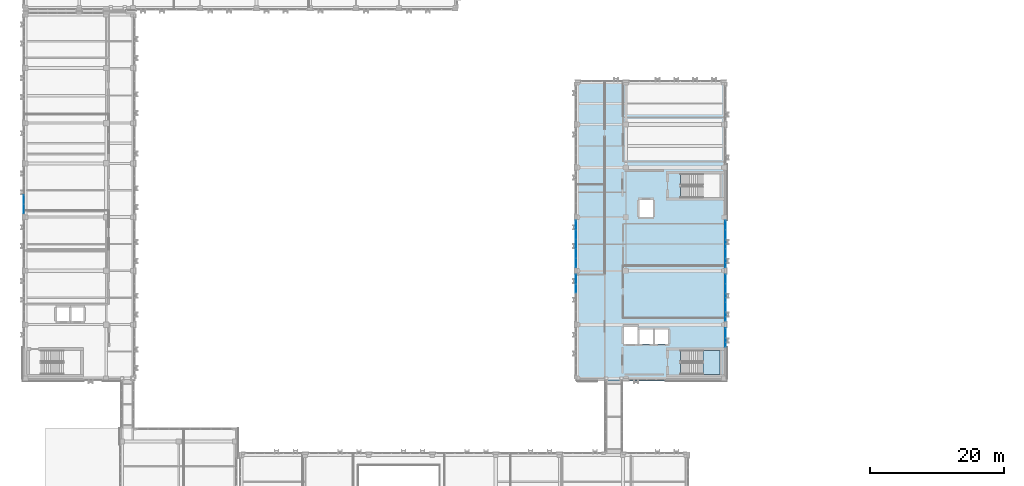
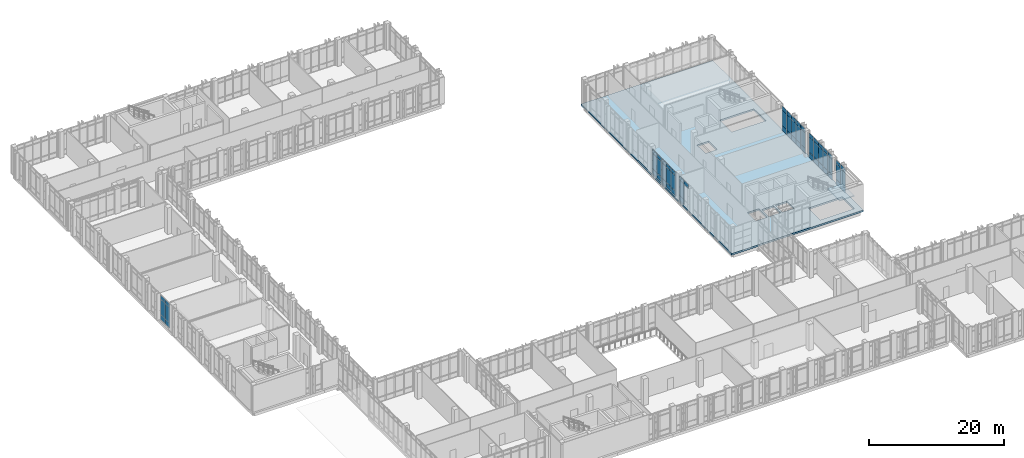
# One storey, part 139 of 189: 61 plates, 2 slabs, 7 elements without a shape of their own.
"""IFC4 building model written with IfcOpenShell, lengths in metres."""

import ifcopenshell
import ifcopenshell.guid

model = None  # the IFC model being written
_history = None  # IfcOwnerHistory: only IFC2X3 demands one
_inside = {}  # id of a spatial element -> (the spatial element, [elements in it])
_under = {}  # id of a project, library or spatial element -> (it, [spatial elements below it])
_declared = {}  # id of a project -> (the project, [libraries it declares])
_typed = {}  # id of a type object -> (the type object, [elements of that type])
_made_of = {}  # id of a material, layer set ... -> (it, [elements and type objects made of it])


def new_model(schema):
    """Start an empty IFC model of exactly this schema.

    Asked for "IFC4X3", IfcOpenShell would pick the latest addendum, in which some entities
    have other attributes; the version numbers below select the first issue.
    IFC2X3 requires an IfcOwnerHistory on every rooted entity: one is made here for all.
    """
    global model, _history
    if schema == "IFC4X3":
        model = ifcopenshell.file(schema_version=(4, 3, 0, 0))
    else:
        model = ifcopenshell.file(schema=schema)
    _inside.clear()
    _under.clear()
    _declared.clear()
    _typed.clear()
    _made_of.clear()
    _history = None
    if model.schema == "IFC2X3":
        org = make("IfcOrganization", Name="unknown")
        user = make(
            "IfcPersonAndOrganization",
            ThePerson=make("IfcPerson", FamilyName="unknown"),
            TheOrganization=org,
        )
        app = make(
            "IfcApplication",
            ApplicationDeveloper=org,
            Version="unknown",
            ApplicationFullName="unknown",
            ApplicationIdentifier="unknown",
        )
        _history = make(
            "IfcOwnerHistory",
            OwningUser=user,
            OwningApplication=app,
            ChangeAction="ADDED",
            CreationDate=0,
        )
    return model


def make(cls, **values):
    """One entity of the class cls with the attributes given. An attribute that is None is left unset."""
    return model.create_entity(
        cls, **{name: value for name, value in values.items() if value is not None}
    )


def rooted(cls, **values):
    """An entity with a GlobalId (a new one), such as an element, a storey or a relation."""
    return make(cls, GlobalId=ifcopenshell.guid.new(), OwnerHistory=_history, **values)


def si_unit(unit_type, name, prefix=None):
    """IfcSIUnit, for example si_unit("LENGTHUNIT", "METRE", prefix="MILLI")."""
    return make("IfcSIUnit", UnitType=unit_type, Prefix=prefix, Name=name)


def assignment(units):
    """IfcUnitAssignment: the units of a project."""
    return None if units is None else make("IfcUnitAssignment", Units=units)


def point(xyz):
    """IfcCartesianPoint."""
    return None if xyz is None else make("IfcCartesianPoint", Coordinates=xyz)


def direction(xyz):
    """IfcDirection."""
    return None if xyz is None else make("IfcDirection", DirectionRatios=xyz)


def frame(location, z_axis=None, x_axis=None):
    """IfcAxis2Placement3D, a coordinate frame: its origin and axes. An axis left out is left unset."""
    return make(
        "IfcAxis2Placement3D",
        Location=point(location),
        Axis=direction(z_axis),
        RefDirection=direction(x_axis),
    )


def frame_2d(location, x_axis=None):
    """IfcAxis2Placement2D, a coordinate frame in the plane: its origin and x axis."""
    return make(
        "IfcAxis2Placement2D", Location=point(location), RefDirection=direction(x_axis)
    )


def origin():
    """The frame at (0, 0, 0) with its axes left unset."""
    return frame((0.0, 0.0, 0.0))


def origin_2d():
    """The frame at (0, 0) in the plane with its x axis left unset."""
    return frame_2d((0.0, 0.0))


def place(relative_to, where):
    """IfcLocalPlacement: puts the frame where relative to a parent placement (None: the world)."""
    return make(
        "IfcLocalPlacement", PlacementRelTo=relative_to, RelativePlacement=where
    )


def context(
    kind, dimensions, precision=None, world=None, true_north=None, identifier=None
):
    """IfcGeometricRepresentationContext, for example the 3D "Model" context."""
    return make(
        "IfcGeometricRepresentationContext",
        ContextIdentifier=identifier,
        ContextType=kind,
        CoordinateSpaceDimension=dimensions,
        Precision=precision,
        WorldCoordinateSystem=world,
        TrueNorth=true_north,
    )


def subcontext(parent, identifier, kind, view, scale=None):
    """IfcGeometricRepresentationSubContext, for example "Body" below "Model"."""
    return make(
        "IfcGeometricRepresentationSubContext",
        ContextIdentifier=identifier,
        ContextType=kind,
        ParentContext=parent,
        TargetScale=scale,
        TargetView=view,
    )


def project(units=None, contexts=None):
    """IfcProject with its units and contexts."""
    return rooted(
        "IfcProject",
        Name="project",
        RepresentationContexts=contexts,
        UnitsInContext=assignment(units),
    )


def spatial(cls, under=None, at=None, **own):
    """A site, building, storey or space (cls), placed at a placement, below another one or the project."""
    s = rooted(cls, ObjectPlacement=at, **own)
    if under is not None:
        _under.setdefault(under.id(), (under, []))[1].append(s)
    return s


def polyline(points):
    """IfcPolyline through the points."""
    return make("IfcPolyline", Points=[point(p) for p in points])


def profile(cls, at=None, kind="AREA", **sizes):
    """A parametric profile (cls). Its sizes go by their IFC names, for example OverallWidth=200.0."""
    return make(cls, ProfileType=kind, Position=at, **sizes)


def rectangle(**sizes):
    """IfcRectangleProfileDef."""
    return profile("IfcRectangleProfileDef", **sizes)


def outline(outer, holes=None, kind="AREA"):
    """IfcArbitraryClosedProfileDef: a profile drawn as a closed curve; with holes, ...WithVoids."""
    if holes is None:
        return make("IfcArbitraryClosedProfileDef", ProfileType=kind, OuterCurve=outer)
    return make(
        "IfcArbitraryProfileDefWithVoids",
        ProfileType=kind,
        OuterCurve=outer,
        InnerCurves=holes,
    )


def extrude(swept, where, along, depth):
    """IfcExtrudedAreaSolid: the profile swept, set in the frame where, extruded along a direction by depth."""
    return make(
        "IfcExtrudedAreaSolid",
        SweptArea=swept,
        Position=where,
        ExtrudedDirection=direction(along),
        Depth=depth,
    )


def shape(context_of_items, identifier, shape_type, items):
    """IfcShapeRepresentation: the items that make up one representation, for example the "Body"."""
    return make(
        "IfcShapeRepresentation",
        ContextOfItems=context_of_items,
        RepresentationIdentifier=identifier,
        RepresentationType=shape_type,
        Items=items,
    )


def material(Name=None, Category=None):
    """IfcMaterial."""
    return make("IfcMaterial", Name=Name, Category=Category)


def layer(
    of_material, thickness, ventilated=None, Name=None, Category=None, Priority=None
):
    """IfcMaterialLayer: one layer of a wall or slab, of a material (None: an air gap)."""
    return make(
        "IfcMaterialLayer",
        Material=of_material,
        LayerThickness=thickness,
        IsVentilated=ventilated,
        Name=Name,
        Category=Category,
        Priority=Priority,
    )


def layer_set(layers, Name=None):
    """IfcMaterialLayerSet."""
    return make("IfcMaterialLayerSet", MaterialLayers=layers, LayerSetName=Name)


def made_of(thing, what):
    """Note that an element or type object is made of a material, layer set ...; save() writes the relation."""
    if what is not None:
        _made_of.setdefault(what.id(), (what, []))[1].append(thing)
    return thing


def type_object(cls, material=None, **own):
    """A type object (cls), such as IfcWallType, which elements share."""
    return made_of(rooted(cls, **own), material)


def element(
    cls,
    number,
    at=None,
    inside=None,
    cuts=None,
    type_object=None,
    material=None,
    context=None,
    identifier="Body",
    shape_type=None,
    held_by="IfcProductDefinitionShape",
    body=None,
    shapes=None,
    **own,
):
    """One element of the class cls, such as IfcWall. Its Tag is "e" and its number.

    at: its placement. inside: the storey or other place that contains it. cuts: it is an
    opening in that element (IfcRelVoidsElement). A single representation is given by context,
    identifier, shape_type and body (its items); several are given by shapes. held_by: the class
    of the entity that holds the representations. save() writes the other relations.
    """
    e = rooted(cls, Tag="e%d" % number, ObjectPlacement=at, **own)
    if body is not None:
        shapes = [shape(context, identifier, shape_type, body)]
    if shapes is not None:
        e.Representation = make(held_by, Representations=shapes)
    if inside is not None:
        _inside.setdefault(inside.id(), (inside, []))[1].append(e)
    if cuts is not None:
        rooted(
            "IfcRelVoidsElement", RelatingBuildingElement=cuts, RelatedOpeningElement=e
        )
    if type_object is not None:
        _typed.setdefault(type_object.id(), (type_object, []))[1].append(e)
    return made_of(e, material)


def aggregate(whole, parts):
    """IfcRelAggregates: a whole, such as a stair, and the parts it consists of."""
    return rooted("IfcRelAggregates", RelatingObject=whole, RelatedObjects=parts)


def save(model, path):
    """Write the relations noted so far, then the file.

    IfcRelAggregates (storeys below a building ...), IfcRelContainedInSpatialStructure (elements
    in a storey), IfcRelDefinesByType, IfcRelAssociatesMaterial and IfcRelDeclares: one each for
    every whole, place, type object, material and project.
    """
    for whole, parts in _under.values():
        aggregate(whole, parts)
    for where, things in _inside.values():
        rooted(
            "IfcRelContainedInSpatialStructure",
            RelatedElements=things,
            RelatingStructure=where,
        )
    for kind, things in _typed.values():
        rooted("IfcRelDefinesByType", RelatedObjects=things, RelatingType=kind)
    for what, things in _made_of.values():
        rooted("IfcRelAssociatesMaterial", RelatedObjects=things, RelatingMaterial=what)
    for by, libraries in _declared.values():
        rooted("IfcRelDeclares", RelatingContext=by, RelatedDefinitions=libraries)
    model.write(path)


model = new_model("IFC4")

# Units and contexts
model_context = context("Model", 3, precision=1e-05, world=origin(), true_north=direction((0.0, 1.0)))
body_context = subcontext(model_context, "Body", "Model", "MODEL_VIEW")
ifc_project = project(units=[si_unit("LENGTHUNIT", "METRE"), si_unit("AREAUNIT", "SQUARE_METRE"), si_unit("VOLUMEUNIT", "CUBIC_METRE"), si_unit("PLANEANGLEUNIT", "RADIAN"), si_unit("MASSUNIT", "GRAM", prefix="KILO")], contexts=[model_context])

# Site, building, storey
site_placement = place(None, origin())
site = spatial("IfcSite", under=ifc_project, at=site_placement, CompositionType="ELEMENT")
building_placement = place(site_placement, origin())
building = spatial("IfcBuilding", under=site, at=building_placement, Name="Qalavern Law Courts", CompositionType="ELEMENT")
storey_placement = place(building_placement, frame((0.0, 0.0, 5.39990234375)))
storey = spatial("IfcBuildingStorey", under=building, at=storey_placement, Name="L01", CompositionType="ELEMENT", Elevation=5.39990234375)

# Curtain wall, plates
ifc_material_1 = material(Name="Anodised aluminium and insulated glazing", Category="aluminium")
ifc_layer_1 = layer(ifc_material_1, 0.172119140625)
ifc_layer_set_1 = layer_set([ifc_layer_1], Name="Anodised aluminium and insulated glazing")
curtain_wall_type = type_object("IfcCurtainWallType", Name="ENV-CW-COURT", PredefinedType="USERDEFINED", material=ifc_layer_set_1)
curtain_wall_1_placement = place(storey_placement, origin())
curtain_wall_1 = element("IfcCurtainWall", 1, at=curtain_wall_1_placement, inside=storey, type_object=curtain_wall_type, Name="V3 unitised curtain wall L01 west 4", ObjectType="UNITISED CURTAIN WALL", PredefinedType="USERDEFINED")
ifc_material_2 = material(Name="Insulated low-E acoustic glazing", Category="glass")
ifc_layer_2 = layer(ifc_material_2, 0.02392578125)
ifc_layer_set_2 = layer_set([ifc_layer_2], Name="Insulated low-E acoustic glazing")
plate_type_1 = type_object("IfcPlateType", Name="ENV-CWP-24", PredefinedType="CURTAIN_PANEL", material=ifc_layer_set_2)
plate_1_placement = place(storey_placement, frame((2.16259765625, 68.0, 0.048095703125), z_axis=(0.0, 0.0, 1.0), x_axis=(0.0, -1.0, 0.0)))
plate_1 = element("IfcPlate", 2, at=plate_1_placement, type_object=plate_type_1, Name="CW-03 panel 4.1", PredefinedType="CURTAIN_PANEL", context=body_context, shape_type="SweptSolid", body=[
    extrude(rectangle(XDim=1.35205078125, YDim=0.02392578125, at=origin_2d()), origin(), (0.0, 0.0, 1.0), 0.8779296875),
])
plate_2_placement = place(storey_placement, frame((2.16259765625, 68.0, 0.97412109375), z_axis=(0.0, 0.0, 1.0), x_axis=(0.0, -1.0, 0.0)))
plate_2 = element("IfcPlate", 3, at=plate_2_placement, type_object=plate_type_1, Name="CW-03 panel 4.2", PredefinedType="CURTAIN_PANEL", context=body_context, shape_type="SweptSolid", body=[
    extrude(rectangle(XDim=1.35205078125, YDim=0.02392578125, at=origin_2d()), origin(), (0.0, 0.0, 1.0), 2.761962890625),
])
plate_3_placement = place(storey_placement, frame((2.16259765625, 68.0, 3.7841796875), z_axis=(0.0, 0.0, 1.0), x_axis=(0.0, -1.0, 0.0)))
plate_3 = element("IfcPlate", 4, at=plate_3_placement, type_object=plate_type_1, Name="CW-03 panel 4.3", PredefinedType="CURTAIN_PANEL", context=body_context, shape_type="SweptSolid", body=[
    extrude(rectangle(XDim=1.35205078125, YDim=0.02392578125, at=origin_2d()), origin(), (0.0, 0.0, 1.0), 0.677978515625),
])
plate_4_placement = place(storey_placement, frame((2.16259765625, 66.612060546875, 0.048095703125), z_axis=(0.0, 0.0, 1.0), x_axis=(0.0, -1.0, 0.0)))
plate_4 = element("IfcPlate", 5, at=plate_4_placement, type_object=plate_type_1, Name="CW-03 panel 5.1", PredefinedType="CURTAIN_PANEL", context=body_context, shape_type="SweptSolid", body=[
    extrude(rectangle(XDim=1.327880859375, YDim=0.02392578125, at=origin_2d()), origin(), (0.0, 0.0, 1.0), 0.8779296875),
])
plate_5_placement = place(storey_placement, frame((2.16259765625, 66.612060546875, 0.97412109375), z_axis=(0.0, 0.0, 1.0), x_axis=(0.0, -1.0, 0.0)))
plate_5 = element("IfcPlate", 6, at=plate_5_placement, type_object=plate_type_1, Name="CW-03 panel 5.2", PredefinedType="CURTAIN_PANEL", context=body_context, shape_type="SweptSolid", body=[
    extrude(rectangle(XDim=1.327880859375, YDim=0.02392578125, at=origin_2d()), origin(), (0.0, 0.0, 1.0), 2.761962890625),
])
plate_6_placement = place(storey_placement, frame((2.16259765625, 66.612060546875, 3.7841796875), z_axis=(0.0, 0.0, 1.0), x_axis=(0.0, -1.0, 0.0)))
plate_6 = element("IfcPlate", 7, at=plate_6_placement, type_object=plate_type_1, Name="CW-03 panel 5.3", PredefinedType="CURTAIN_PANEL", context=body_context, shape_type="SweptSolid", body=[
    extrude(rectangle(XDim=1.327880859375, YDim=0.02392578125, at=origin_2d()), origin(), (0.0, 0.0, 1.0), 0.677978515625),
])
aggregate(curtain_wall_1, [plate_1, plate_2, plate_3, plate_4, plate_5, plate_6])

curtain_wall_2_placement = place(storey_placement, origin())
curtain_wall_2 = element("IfcCurtainWall", 8, at=curtain_wall_2_placement, inside=storey, type_object=curtain_wall_type, Name="V4 unitised curtain wall L01 west 4", ObjectType="UNITISED CURTAIN WALL", PredefinedType="USERDEFINED")
plate_7_placement = place(storey_placement, frame((84.362548828125, 64.18798828125, 0.048095703125), z_axis=(0.0, 0.0, 1.0), x_axis=(0.0, -1.0, 0.0)))
plate_7 = element("IfcPlate", 9, at=plate_7_placement, type_object=plate_type_1, Name="CW-03 panel 1.1", PredefinedType="CURTAIN_PANEL", context=body_context, shape_type="SweptSolid", body=[
    extrude(rectangle(XDim=1.327880859375, YDim=0.02392578125, at=origin_2d()), origin(), (0.0, 0.0, 1.0), 0.8779296875),
])
plate_8_placement = place(storey_placement, frame((84.362548828125, 64.18798828125, 0.97412109375), z_axis=(0.0, 0.0, 1.0), x_axis=(0.0, -1.0, 0.0)))
plate_8 = element("IfcPlate", 10, at=plate_8_placement, type_object=plate_type_1, Name="CW-03 panel 1.2", PredefinedType="CURTAIN_PANEL", context=body_context, shape_type="SweptSolid", body=[
    extrude(rectangle(XDim=1.327880859375, YDim=0.02392578125, at=origin_2d()), origin(), (0.0, 0.0, 1.0), 2.761962890625),
])
plate_9_placement = place(storey_placement, frame((84.362548828125, 64.18798828125, 3.7841796875), z_axis=(0.0, 0.0, 1.0), x_axis=(0.0, -1.0, 0.0)))
plate_9 = element("IfcPlate", 11, at=plate_9_placement, type_object=plate_type_1, Name="CW-03 panel 1.3", PredefinedType="CURTAIN_PANEL", context=body_context, shape_type="SweptSolid", body=[
    extrude(rectangle(XDim=1.327880859375, YDim=0.02392578125, at=origin_2d()), origin(), (0.0, 0.0, 1.0), 0.677978515625),
])
plate_10_placement = place(storey_placement, frame((84.362548828125, 62.800048828125, 0.048095703125), z_axis=(0.0, 0.0, 1.0), x_axis=(0.0, -1.0, 0.0)))
plate_10 = element("IfcPlate", 12, at=plate_10_placement, type_object=plate_type_1, Name="CW-03 panel 2.1", PredefinedType="CURTAIN_PANEL", context=body_context, shape_type="SweptSolid", body=[
    extrude(rectangle(XDim=1.35205078125, YDim=0.02392578125, at=origin_2d()), origin(), (0.0, 0.0, 1.0), 0.8779296875),
])
plate_11_placement = place(storey_placement, frame((84.362548828125, 62.800048828125, 0.97412109375), z_axis=(0.0, 0.0, 1.0), x_axis=(0.0, -1.0, 0.0)))
plate_11 = element("IfcPlate", 13, at=plate_11_placement, type_object=plate_type_1, Name="CW-03 panel 2.2", PredefinedType="CURTAIN_PANEL", context=body_context, shape_type="SweptSolid", body=[
    extrude(rectangle(XDim=1.35205078125, YDim=0.02392578125, at=origin_2d()), origin(), (0.0, 0.0, 1.0), 2.761962890625),
])
plate_12_placement = place(storey_placement, frame((84.362548828125, 62.800048828125, 3.7841796875), z_axis=(0.0, 0.0, 1.0), x_axis=(0.0, -1.0, 0.0)))
plate_12 = element("IfcPlate", 14, at=plate_12_placement, type_object=plate_type_1, Name="CW-03 panel 2.3", PredefinedType="CURTAIN_PANEL", context=body_context, shape_type="SweptSolid", body=[
    extrude(rectangle(XDim=1.35205078125, YDim=0.02392578125, at=origin_2d()), origin(), (0.0, 0.0, 1.0), 0.677978515625),
])
plate_13_placement = place(storey_placement, frame((84.362548828125, 61.39990234375, 0.048095703125), z_axis=(0.0, 0.0, 1.0), x_axis=(0.0, -1.0, 0.0)))
plate_13 = element("IfcPlate", 15, at=plate_13_placement, type_object=plate_type_1, Name="CW-03 panel 3.1", PredefinedType="CURTAIN_PANEL", context=body_context, shape_type="SweptSolid", body=[
    extrude(rectangle(XDim=1.35205078125, YDim=0.02392578125, at=origin_2d()), origin(), (0.0, 0.0, 1.0), 0.8779296875),
])
plate_14_placement = place(storey_placement, frame((84.362548828125, 61.39990234375, 0.97412109375), z_axis=(0.0, 0.0, 1.0), x_axis=(0.0, -1.0, 0.0)))
plate_14 = element("IfcPlate", 16, at=plate_14_placement, type_object=plate_type_1, Name="CW-03 panel 3.2", PredefinedType="CURTAIN_PANEL", context=body_context, shape_type="SweptSolid", body=[
    extrude(rectangle(XDim=1.35205078125, YDim=0.02392578125, at=origin_2d()), origin(), (0.0, 0.0, 1.0), 2.761962890625),
])
plate_15_placement = place(storey_placement, frame((84.362548828125, 61.39990234375, 3.7841796875), z_axis=(0.0, 0.0, 1.0), x_axis=(0.0, -1.0, 0.0)))
plate_15 = element("IfcPlate", 17, at=plate_15_placement, type_object=plate_type_1, Name="CW-03 panel 3.3", PredefinedType="CURTAIN_PANEL", context=body_context, shape_type="SweptSolid", body=[
    extrude(rectangle(XDim=1.35205078125, YDim=0.02392578125, at=origin_2d()), origin(), (0.0, 0.0, 1.0), 0.677978515625),
])
plate_16_placement = place(storey_placement, frame((84.362548828125, 60.0, 0.048095703125), z_axis=(0.0, 0.0, 1.0), x_axis=(0.0, -1.0, 0.0)))
plate_16 = element("IfcPlate", 18, at=plate_16_placement, type_object=plate_type_1, Name="CW-03 panel 4.1", PredefinedType="CURTAIN_PANEL", context=body_context, shape_type="SweptSolid", body=[
    extrude(rectangle(XDim=1.35205078125, YDim=0.02392578125, at=origin_2d()), origin(), (0.0, 0.0, 1.0), 0.8779296875),
])
plate_17_placement = place(storey_placement, frame((84.362548828125, 60.0, 0.97412109375), z_axis=(0.0, 0.0, 1.0), x_axis=(0.0, -1.0, 0.0)))
plate_17 = element("IfcPlate", 19, at=plate_17_placement, type_object=plate_type_1, Name="CW-03 panel 4.2", PredefinedType="CURTAIN_PANEL", context=body_context, shape_type="SweptSolid", body=[
    extrude(rectangle(XDim=1.35205078125, YDim=0.02392578125, at=origin_2d()), origin(), (0.0, 0.0, 1.0), 2.761962890625),
])
plate_18_placement = place(storey_placement, frame((84.362548828125, 60.0, 3.7841796875), z_axis=(0.0, 0.0, 1.0), x_axis=(0.0, -1.0, 0.0)))
plate_18 = element("IfcPlate", 20, at=plate_18_placement, type_object=plate_type_1, Name="CW-03 panel 4.3", PredefinedType="CURTAIN_PANEL", context=body_context, shape_type="SweptSolid", body=[
    extrude(rectangle(XDim=1.35205078125, YDim=0.02392578125, at=origin_2d()), origin(), (0.0, 0.0, 1.0), 0.677978515625),
])
plate_19_placement = place(storey_placement, frame((84.362548828125, 58.612060546875, 0.048095703125), z_axis=(0.0, 0.0, 1.0), x_axis=(0.0, -1.0, 0.0)))
plate_19 = element("IfcPlate", 21, at=plate_19_placement, type_object=plate_type_1, Name="CW-03 panel 5.1", PredefinedType="CURTAIN_PANEL", context=body_context, shape_type="SweptSolid", body=[
    extrude(rectangle(XDim=1.327880859375, YDim=0.02392578125, at=origin_2d()), origin(), (0.0, 0.0, 1.0), 0.8779296875),
])
plate_20_placement = place(storey_placement, frame((84.362548828125, 58.612060546875, 0.97412109375), z_axis=(0.0, 0.0, 1.0), x_axis=(0.0, -1.0, 0.0)))
plate_20 = element("IfcPlate", 22, at=plate_20_placement, type_object=plate_type_1, Name="CW-03 panel 5.2", PredefinedType="CURTAIN_PANEL", context=body_context, shape_type="SweptSolid", body=[
    extrude(rectangle(XDim=1.327880859375, YDim=0.02392578125, at=origin_2d()), origin(), (0.0, 0.0, 1.0), 2.761962890625),
])
plate_21_placement = place(storey_placement, frame((84.362548828125, 58.612060546875, 3.7841796875), z_axis=(0.0, 0.0, 1.0), x_axis=(0.0, -1.0, 0.0)))
plate_21 = element("IfcPlate", 23, at=plate_21_placement, type_object=plate_type_1, Name="CW-03 panel 5.3", PredefinedType="CURTAIN_PANEL", context=body_context, shape_type="SweptSolid", body=[
    extrude(rectangle(XDim=1.327880859375, YDim=0.02392578125, at=origin_2d()), origin(), (0.0, 0.0, 1.0), 0.677978515625),
])
aggregate(curtain_wall_2, [plate_7, plate_8, plate_9, plate_10, plate_11, plate_12, plate_13, plate_14, plate_15, plate_16, plate_17, plate_18, plate_19, plate_20, plate_21])

curtain_wall_3_placement = place(storey_placement, origin())
curtain_wall_3 = element("IfcCurtainWall", 24, at=curtain_wall_3_placement, inside=storey, type_object=curtain_wall_type, Name="V4 unitised curtain wall L01 west 5", ObjectType="UNITISED CURTAIN WALL", PredefinedType="USERDEFINED")
ifc_layer_3 = layer(ifc_material_2, 0.028076171875)
ifc_layer_set_3 = layer_set([ifc_layer_3], Name="Insulated low-E acoustic glazing")
plate_type_2 = type_object("IfcPlateType", Name="ENV-CWP-28", PredefinedType="CURTAIN_PANEL", material=ifc_layer_set_3)
plate_22_placement = place(storey_placement, frame((84.362548828125, 56.18798828125, 0.048095703125), z_axis=(0.0, 0.0, 1.0), x_axis=(0.0, -1.0, 0.0)))
plate_22 = element("IfcPlate", 25, at=plate_22_placement, type_object=plate_type_2, Name="CW-03 panel 1.1", PredefinedType="CURTAIN_PANEL", context=body_context, shape_type="SweptSolid", body=[
    extrude(rectangle(XDim=1.327880859375, YDim=0.028076171875, at=origin_2d()), origin(), (0.0, 0.0, 1.0), 0.8779296875),
])
plate_23_placement = place(storey_placement, frame((84.362548828125, 56.18798828125, 0.97412109375), z_axis=(0.0, 0.0, 1.0), x_axis=(0.0, -1.0, 0.0)))
plate_23 = element("IfcPlate", 26, at=plate_23_placement, type_object=plate_type_2, Name="CW-03 panel 1.2", PredefinedType="CURTAIN_PANEL", context=body_context, shape_type="SweptSolid", body=[
    extrude(rectangle(XDim=1.327880859375, YDim=0.028076171875, at=origin_2d()), origin(), (0.0, 0.0, 1.0), 2.761962890625),
])
plate_24_placement = place(storey_placement, frame((84.362548828125, 56.18798828125, 3.7841796875), z_axis=(0.0, 0.0, 1.0), x_axis=(0.0, -1.0, 0.0)))
plate_24 = element("IfcPlate", 27, at=plate_24_placement, type_object=plate_type_2, Name="CW-03 panel 1.3", PredefinedType="CURTAIN_PANEL", context=body_context, shape_type="SweptSolid", body=[
    extrude(rectangle(XDim=1.327880859375, YDim=0.028076171875, at=origin_2d()), origin(), (0.0, 0.0, 1.0), 0.677978515625),
])
plate_25_placement = place(storey_placement, frame((84.362548828125, 54.800048828125, 3.7841796875), z_axis=(0.0, 0.0, 1.0), x_axis=(0.0, -1.0, 0.0)))
plate_25 = element("IfcPlate", 28, at=plate_25_placement, type_object=plate_type_2, Name="CW-03 panel 2.3", PredefinedType="CURTAIN_PANEL", context=body_context, shape_type="SweptSolid", body=[
    extrude(rectangle(XDim=1.35205078125, YDim=0.028076171875, at=origin_2d()), origin(), (0.0, 0.0, 1.0), 0.677978515625),
])
aggregate(curtain_wall_3, [plate_22, plate_23, plate_24, plate_25])

curtain_wall_4_placement = place(storey_placement, origin())
curtain_wall_4 = element("IfcCurtainWall", 29, at=curtain_wall_4_placement, inside=storey, type_object=curtain_wall_type, Name="V4 unitised curtain wall L01 east 1", ObjectType="UNITISED CURTAIN WALL", PredefinedType="USERDEFINED")
ifc_layer_4 = layer(ifc_material_2, 0.0439453125)
ifc_layer_set_4 = layer_set([ifc_layer_4], Name="Insulated low-E acoustic glazing")
plate_type_3 = type_object("IfcPlateType", Name="ENV-CWP-44", PredefinedType="CURTAIN_PANEL", material=ifc_layer_set_4)
plate_26_placement = place(storey_placement, frame((106.637451171875, 46.7744140625, 0.048095703125), z_axis=(0.0, 0.0, 1.0), x_axis=(0.0, 1.0, 0.0)))
plate_26 = element("IfcPlate", 30, at=plate_26_placement, type_object=plate_type_3, Name="CW-03 panel 1.1", PredefinedType="CURTAIN_PANEL", context=body_context, shape_type="SweptSolid", body=[
    extrude(rectangle(XDim=1.35302734375, YDim=0.0439453125, at=origin_2d()), origin(), (0.0, 0.0, 1.0), 0.8779296875),
])
plate_27_placement = place(storey_placement, frame((106.637451171875, 46.7744140625, 0.97412109375), z_axis=(0.0, 0.0, 1.0), x_axis=(0.0, 1.0, 0.0)))
plate_27 = element("IfcPlate", 31, at=plate_27_placement, type_object=plate_type_3, Name="CW-03 panel 1.2", PredefinedType="CURTAIN_PANEL", context=body_context, shape_type="SweptSolid", body=[
    extrude(rectangle(XDim=1.35302734375, YDim=0.0439453125, at=origin_2d()), origin(), (0.0, 0.0, 1.0), 2.761962890625),
])
plate_28_placement = place(storey_placement, frame((106.637451171875, 46.7744140625, 3.7841796875), z_axis=(0.0, 0.0, 1.0), x_axis=(0.0, 1.0, 0.0)))
plate_28 = element("IfcPlate", 32, at=plate_28_placement, type_object=plate_type_3, Name="CW-03 panel 1.3", PredefinedType="CURTAIN_PANEL", context=body_context, shape_type="SweptSolid", body=[
    extrude(rectangle(XDim=1.35302734375, YDim=0.0439453125, at=origin_2d()), origin(), (0.0, 0.0, 1.0), 0.677978515625),
])
plate_29_placement = place(storey_placement, frame((106.637451171875, 48.175537109375, 0.048095703125), z_axis=(0.0, 0.0, 1.0), x_axis=(0.0, 1.0, 0.0)))
plate_29 = element("IfcPlate", 33, at=plate_29_placement, type_object=plate_type_3, Name="CW-03 panel 2.1", PredefinedType="CURTAIN_PANEL", context=body_context, shape_type="SweptSolid", body=[
    extrude(rectangle(XDim=1.35302734375, YDim=0.0439453125, at=origin_2d()), origin(), (0.0, 0.0, 1.0), 0.8779296875),
])
plate_30_placement = place(storey_placement, frame((106.637451171875, 48.175537109375, 0.97412109375), z_axis=(0.0, 0.0, 1.0), x_axis=(0.0, 1.0, 0.0)))
plate_30 = element("IfcPlate", 34, at=plate_30_placement, type_object=plate_type_3, Name="CW-03 panel 2.2", PredefinedType="CURTAIN_PANEL", context=body_context, shape_type="SweptSolid", body=[
    extrude(rectangle(XDim=1.35302734375, YDim=0.0439453125, at=origin_2d()), origin(), (0.0, 0.0, 1.0), 2.761962890625),
])
plate_31_placement = place(storey_placement, frame((106.637451171875, 48.175537109375, 3.7841796875), z_axis=(0.0, 0.0, 1.0), x_axis=(0.0, 1.0, 0.0)))
plate_31 = element("IfcPlate", 35, at=plate_31_placement, type_object=plate_type_3, Name="CW-03 panel 2.3", PredefinedType="CURTAIN_PANEL", context=body_context, shape_type="SweptSolid", body=[
    extrude(rectangle(XDim=1.35302734375, YDim=0.0439453125, at=origin_2d()), origin(), (0.0, 0.0, 1.0), 0.677978515625),
])
aggregate(curtain_wall_4, [plate_26, plate_27, plate_28, plate_29, plate_30, plate_31])

curtain_wall_5_placement = place(storey_placement, origin())
curtain_wall_5 = element("IfcCurtainWall", 36, at=curtain_wall_5_placement, inside=storey, type_object=curtain_wall_type, Name="V4 unitised curtain wall L01 east 2", ObjectType="UNITISED CURTAIN WALL", PredefinedType="USERDEFINED")
ifc_layer_5 = layer(ifc_material_2, 0.048095703125)
ifc_layer_set_5 = layer_set([ifc_layer_5], Name="Insulated low-E acoustic glazing")
plate_type_4 = type_object("IfcPlateType", Name="ENV-CWP-48", PredefinedType="CURTAIN_PANEL", material=ifc_layer_set_5)
plate_32_placement = place(storey_placement, frame((106.637451171875, 50.612060546875, 0.048095703125), z_axis=(0.0, 0.0, 1.0), x_axis=(0.0, 1.0, 0.0)))
plate_32 = element("IfcPlate", 37, at=plate_32_placement, type_object=plate_type_4, Name="CW-03 panel 1.1", PredefinedType="CURTAIN_PANEL", context=body_context, shape_type="SweptSolid", body=[
    extrude(rectangle(XDim=1.327880859375, YDim=0.048095703125, at=origin_2d()), origin(), (0.0, 0.0, 1.0), 0.8779296875),
])
plate_33_placement = place(storey_placement, frame((106.637451171875, 50.612060546875, 0.97412109375), z_axis=(0.0, 0.0, 1.0), x_axis=(0.0, 1.0, 0.0)))
plate_33 = element("IfcPlate", 38, at=plate_33_placement, type_object=plate_type_4, Name="CW-03 panel 1.2", PredefinedType="CURTAIN_PANEL", context=body_context, shape_type="SweptSolid", body=[
    extrude(rectangle(XDim=1.327880859375, YDim=0.048095703125, at=origin_2d()), origin(), (0.0, 0.0, 1.0), 2.761962890625),
])
plate_34_placement = place(storey_placement, frame((106.637451171875, 50.612060546875, 3.7841796875), z_axis=(0.0, 0.0, 1.0), x_axis=(0.0, 1.0, 0.0)))
plate_34 = element("IfcPlate", 39, at=plate_34_placement, type_object=plate_type_4, Name="CW-03 panel 1.3", PredefinedType="CURTAIN_PANEL", context=body_context, shape_type="SweptSolid", body=[
    extrude(rectangle(XDim=1.327880859375, YDim=0.048095703125, at=origin_2d()), origin(), (0.0, 0.0, 1.0), 0.677978515625),
])
plate_35_placement = place(storey_placement, frame((106.637451171875, 52.0, 0.048095703125), z_axis=(0.0, 0.0, 1.0), x_axis=(0.0, 1.0, 0.0)))
plate_35 = element("IfcPlate", 40, at=plate_35_placement, type_object=plate_type_4, Name="CW-03 panel 2.1", PredefinedType="CURTAIN_PANEL", context=body_context, shape_type="SweptSolid", body=[
    extrude(rectangle(XDim=1.35205078125, YDim=0.048095703125, at=origin_2d()), origin(), (0.0, 0.0, 1.0), 0.8779296875),
])
plate_36_placement = place(storey_placement, frame((106.637451171875, 52.0, 0.97412109375), z_axis=(0.0, 0.0, 1.0), x_axis=(0.0, 1.0, 0.0)))
plate_36 = element("IfcPlate", 41, at=plate_36_placement, type_object=plate_type_4, Name="CW-03 panel 2.2", PredefinedType="CURTAIN_PANEL", context=body_context, shape_type="SweptSolid", body=[
    extrude(rectangle(XDim=1.35205078125, YDim=0.048095703125, at=origin_2d()), origin(), (0.0, 0.0, 1.0), 2.761962890625),
])
plate_37_placement = place(storey_placement, frame((106.637451171875, 52.0, 3.7841796875), z_axis=(0.0, 0.0, 1.0), x_axis=(0.0, 1.0, 0.0)))
plate_37 = element("IfcPlate", 42, at=plate_37_placement, type_object=plate_type_4, Name="CW-03 panel 2.3", PredefinedType="CURTAIN_PANEL", context=body_context, shape_type="SweptSolid", body=[
    extrude(rectangle(XDim=1.35205078125, YDim=0.048095703125, at=origin_2d()), origin(), (0.0, 0.0, 1.0), 0.677978515625),
])
plate_38_placement = place(storey_placement, frame((106.637451171875, 53.39990234375, 0.048095703125), z_axis=(0.0, 0.0, 1.0), x_axis=(0.0, 1.0, 0.0)))
plate_38 = element("IfcPlate", 43, at=plate_38_placement, type_object=plate_type_4, Name="CW-03 panel 3.1", PredefinedType="CURTAIN_PANEL", context=body_context, shape_type="SweptSolid", body=[
    extrude(rectangle(XDim=1.35205078125, YDim=0.048095703125, at=origin_2d()), origin(), (0.0, 0.0, 1.0), 0.8779296875),
])
plate_39_placement = place(storey_placement, frame((106.637451171875, 53.39990234375, 0.97412109375), z_axis=(0.0, 0.0, 1.0), x_axis=(0.0, 1.0, 0.0)))
plate_39 = element("IfcPlate", 44, at=plate_39_placement, type_object=plate_type_4, Name="CW-03 panel 3.2", PredefinedType="CURTAIN_PANEL", context=body_context, shape_type="SweptSolid", body=[
    extrude(rectangle(XDim=1.35205078125, YDim=0.048095703125, at=origin_2d()), origin(), (0.0, 0.0, 1.0), 2.761962890625),
])
plate_40_placement = place(storey_placement, frame((106.637451171875, 53.39990234375, 3.7841796875), z_axis=(0.0, 0.0, 1.0), x_axis=(0.0, 1.0, 0.0)))
plate_40 = element("IfcPlate", 45, at=plate_40_placement, type_object=plate_type_4, Name="CW-03 panel 3.3", PredefinedType="CURTAIN_PANEL", context=body_context, shape_type="SweptSolid", body=[
    extrude(rectangle(XDim=1.35205078125, YDim=0.048095703125, at=origin_2d()), origin(), (0.0, 0.0, 1.0), 0.677978515625),
])
plate_41_placement = place(storey_placement, frame((106.637451171875, 54.800048828125, 0.048095703125), z_axis=(0.0, 0.0, 1.0), x_axis=(0.0, 1.0, 0.0)))
plate_41 = element("IfcPlate", 46, at=plate_41_placement, type_object=plate_type_4, Name="CW-03 panel 4.1", PredefinedType="CURTAIN_PANEL", context=body_context, shape_type="SweptSolid", body=[
    extrude(rectangle(XDim=1.35205078125, YDim=0.048095703125, at=origin_2d()), origin(), (0.0, 0.0, 1.0), 0.8779296875),
])
plate_42_placement = place(storey_placement, frame((106.637451171875, 54.800048828125, 0.97412109375), z_axis=(0.0, 0.0, 1.0), x_axis=(0.0, 1.0, 0.0)))
plate_42 = element("IfcPlate", 47, at=plate_42_placement, type_object=plate_type_4, Name="CW-03 panel 4.2", PredefinedType="CURTAIN_PANEL", context=body_context, shape_type="SweptSolid", body=[
    extrude(rectangle(XDim=1.35205078125, YDim=0.048095703125, at=origin_2d()), origin(), (0.0, 0.0, 1.0), 2.761962890625),
])
plate_43_placement = place(storey_placement, frame((106.637451171875, 54.800048828125, 3.7841796875), z_axis=(0.0, 0.0, 1.0), x_axis=(0.0, 1.0, 0.0)))
plate_43 = element("IfcPlate", 48, at=plate_43_placement, type_object=plate_type_4, Name="CW-03 panel 4.3", PredefinedType="CURTAIN_PANEL", context=body_context, shape_type="SweptSolid", body=[
    extrude(rectangle(XDim=1.35205078125, YDim=0.048095703125, at=origin_2d()), origin(), (0.0, 0.0, 1.0), 0.677978515625),
])
plate_44_placement = place(storey_placement, frame((106.637451171875, 56.18798828125, 0.048095703125), z_axis=(0.0, 0.0, 1.0), x_axis=(0.0, 1.0, 0.0)))
plate_44 = element("IfcPlate", 49, at=plate_44_placement, type_object=plate_type_4, Name="CW-03 panel 5.1", PredefinedType="CURTAIN_PANEL", context=body_context, shape_type="SweptSolid", body=[
    extrude(rectangle(XDim=1.327880859375, YDim=0.048095703125, at=origin_2d()), origin(), (0.0, 0.0, 1.0), 0.8779296875),
])
plate_45_placement = place(storey_placement, frame((106.637451171875, 56.18798828125, 0.97412109375), z_axis=(0.0, 0.0, 1.0), x_axis=(0.0, 1.0, 0.0)))
plate_45 = element("IfcPlate", 50, at=plate_45_placement, type_object=plate_type_4, Name="CW-03 panel 5.2", PredefinedType="CURTAIN_PANEL", context=body_context, shape_type="SweptSolid", body=[
    extrude(rectangle(XDim=1.327880859375, YDim=0.048095703125, at=origin_2d()), origin(), (0.0, 0.0, 1.0), 2.761962890625),
])
plate_46_placement = place(storey_placement, frame((106.637451171875, 56.18798828125, 3.7841796875), z_axis=(0.0, 0.0, 1.0), x_axis=(0.0, 1.0, 0.0)))
plate_46 = element("IfcPlate", 51, at=plate_46_placement, type_object=plate_type_4, Name="CW-03 panel 5.3", PredefinedType="CURTAIN_PANEL", context=body_context, shape_type="SweptSolid", body=[
    extrude(rectangle(XDim=1.327880859375, YDim=0.048095703125, at=origin_2d()), origin(), (0.0, 0.0, 1.0), 0.677978515625),
])
aggregate(curtain_wall_5, [plate_32, plate_33, plate_34, plate_35, plate_36, plate_37, plate_38, plate_39, plate_40, plate_41, plate_42, plate_43, plate_44, plate_45, plate_46])

curtain_wall_6_placement = place(storey_placement, origin())
curtain_wall_6 = element("IfcCurtainWall", 52, at=curtain_wall_6_placement, inside=storey, type_object=curtain_wall_type, Name="V4 unitised curtain wall L01 east 3", ObjectType="UNITISED CURTAIN WALL", PredefinedType="USERDEFINED")
ifc_layer_6 = layer(ifc_material_2, 0.052001953125)
ifc_layer_set_6 = layer_set([ifc_layer_6], Name="Insulated low-E acoustic glazing")
plate_type_5 = type_object("IfcPlateType", Name="ENV-CWP-52", PredefinedType="CURTAIN_PANEL", material=ifc_layer_set_6)
plate_47_placement = place(storey_placement, frame((106.637451171875, 58.612060546875, 0.048095703125), z_axis=(0.0, 0.0, 1.0), x_axis=(0.0, 1.0, 0.0)))
plate_47 = element("IfcPlate", 53, at=plate_47_placement, type_object=plate_type_5, Name="CW-03 panel 1.1", PredefinedType="CURTAIN_PANEL", context=body_context, shape_type="SweptSolid", body=[
    extrude(rectangle(XDim=1.327880859375, YDim=0.052001953125, at=origin_2d()), origin(), (0.0, 0.0, 1.0), 0.8779296875),
])
plate_48_placement = place(storey_placement, frame((106.637451171875, 58.612060546875, 0.97412109375), z_axis=(0.0, 0.0, 1.0), x_axis=(0.0, 1.0, 0.0)))
plate_48 = element("IfcPlate", 54, at=plate_48_placement, type_object=plate_type_5, Name="CW-03 panel 1.2", PredefinedType="CURTAIN_PANEL", context=body_context, shape_type="SweptSolid", body=[
    extrude(rectangle(XDim=1.327880859375, YDim=0.052001953125, at=origin_2d()), origin(), (0.0, 0.0, 1.0), 2.761962890625),
])
plate_49_placement = place(storey_placement, frame((106.637451171875, 58.612060546875, 3.7841796875), z_axis=(0.0, 0.0, 1.0), x_axis=(0.0, 1.0, 0.0)))
plate_49 = element("IfcPlate", 55, at=plate_49_placement, type_object=plate_type_5, Name="CW-03 panel 1.3", PredefinedType="CURTAIN_PANEL", context=body_context, shape_type="SweptSolid", body=[
    extrude(rectangle(XDim=1.327880859375, YDim=0.052001953125, at=origin_2d()), origin(), (0.0, 0.0, 1.0), 0.677978515625),
])
plate_50_placement = place(storey_placement, frame((106.637451171875, 60.0, 0.048095703125), z_axis=(0.0, 0.0, 1.0), x_axis=(0.0, 1.0, 0.0)))
plate_50 = element("IfcPlate", 56, at=plate_50_placement, type_object=plate_type_5, Name="CW-03 panel 2.1", PredefinedType="CURTAIN_PANEL", context=body_context, shape_type="SweptSolid", body=[
    extrude(rectangle(XDim=1.35205078125, YDim=0.052001953125, at=origin_2d()), origin(), (0.0, 0.0, 1.0), 0.8779296875),
])
plate_51_placement = place(storey_placement, frame((106.637451171875, 60.0, 0.97412109375), z_axis=(0.0, 0.0, 1.0), x_axis=(0.0, 1.0, 0.0)))
plate_51 = element("IfcPlate", 57, at=plate_51_placement, type_object=plate_type_5, Name="CW-03 panel 2.2", PredefinedType="CURTAIN_PANEL", context=body_context, shape_type="SweptSolid", body=[
    extrude(rectangle(XDim=1.35205078125, YDim=0.052001953125, at=origin_2d()), origin(), (0.0, 0.0, 1.0), 2.761962890625),
])
plate_52_placement = place(storey_placement, frame((106.637451171875, 60.0, 3.7841796875), z_axis=(0.0, 0.0, 1.0), x_axis=(0.0, 1.0, 0.0)))
plate_52 = element("IfcPlate", 58, at=plate_52_placement, type_object=plate_type_5, Name="CW-03 panel 2.3", PredefinedType="CURTAIN_PANEL", context=body_context, shape_type="SweptSolid", body=[
    extrude(rectangle(XDim=1.35205078125, YDim=0.052001953125, at=origin_2d()), origin(), (0.0, 0.0, 1.0), 0.677978515625),
])
plate_53_placement = place(storey_placement, frame((106.637451171875, 61.39990234375, 0.048095703125), z_axis=(0.0, 0.0, 1.0), x_axis=(0.0, 1.0, 0.0)))
plate_53 = element("IfcPlate", 59, at=plate_53_placement, type_object=plate_type_5, Name="CW-03 panel 3.1", PredefinedType="CURTAIN_PANEL", context=body_context, shape_type="SweptSolid", body=[
    extrude(rectangle(XDim=1.35205078125, YDim=0.052001953125, at=origin_2d()), origin(), (0.0, 0.0, 1.0), 0.8779296875),
])
plate_54_placement = place(storey_placement, frame((106.637451171875, 61.39990234375, 0.97412109375), z_axis=(0.0, 0.0, 1.0), x_axis=(0.0, 1.0, 0.0)))
plate_54 = element("IfcPlate", 60, at=plate_54_placement, type_object=plate_type_5, Name="CW-03 panel 3.2", PredefinedType="CURTAIN_PANEL", context=body_context, shape_type="SweptSolid", body=[
    extrude(rectangle(XDim=1.35205078125, YDim=0.052001953125, at=origin_2d()), origin(), (0.0, 0.0, 1.0), 2.761962890625),
])
plate_55_placement = place(storey_placement, frame((106.637451171875, 61.39990234375, 3.7841796875), z_axis=(0.0, 0.0, 1.0), x_axis=(0.0, 1.0, 0.0)))
plate_55 = element("IfcPlate", 61, at=plate_55_placement, type_object=plate_type_5, Name="CW-03 panel 3.3", PredefinedType="CURTAIN_PANEL", context=body_context, shape_type="SweptSolid", body=[
    extrude(rectangle(XDim=1.35205078125, YDim=0.052001953125, at=origin_2d()), origin(), (0.0, 0.0, 1.0), 0.677978515625),
])
plate_56_placement = place(storey_placement, frame((106.637451171875, 62.800048828125, 0.048095703125), z_axis=(0.0, 0.0, 1.0), x_axis=(0.0, 1.0, 0.0)))
plate_56 = element("IfcPlate", 62, at=plate_56_placement, type_object=plate_type_5, Name="CW-03 panel 4.1", PredefinedType="CURTAIN_PANEL", context=body_context, shape_type="SweptSolid", body=[
    extrude(rectangle(XDim=1.35205078125, YDim=0.052001953125, at=origin_2d()), origin(), (0.0, 0.0, 1.0), 0.8779296875),
])
plate_57_placement = place(storey_placement, frame((106.637451171875, 62.800048828125, 0.97412109375), z_axis=(0.0, 0.0, 1.0), x_axis=(0.0, 1.0, 0.0)))
plate_57 = element("IfcPlate", 63, at=plate_57_placement, type_object=plate_type_5, Name="CW-03 panel 4.2", PredefinedType="CURTAIN_PANEL", context=body_context, shape_type="SweptSolid", body=[
    extrude(rectangle(XDim=1.35205078125, YDim=0.052001953125, at=origin_2d()), origin(), (0.0, 0.0, 1.0), 2.761962890625),
])
plate_58_placement = place(storey_placement, frame((106.637451171875, 62.800048828125, 3.7841796875), z_axis=(0.0, 0.0, 1.0), x_axis=(0.0, 1.0, 0.0)))
plate_58 = element("IfcPlate", 64, at=plate_58_placement, type_object=plate_type_5, Name="CW-03 panel 4.3", PredefinedType="CURTAIN_PANEL", context=body_context, shape_type="SweptSolid", body=[
    extrude(rectangle(XDim=1.35205078125, YDim=0.052001953125, at=origin_2d()), origin(), (0.0, 0.0, 1.0), 0.677978515625),
])
plate_59_placement = place(storey_placement, frame((106.637451171875, 64.18798828125, 0.048095703125), z_axis=(0.0, 0.0, 1.0), x_axis=(0.0, 1.0, 0.0)))
plate_59 = element("IfcPlate", 65, at=plate_59_placement, type_object=plate_type_5, Name="CW-03 panel 5.1", PredefinedType="CURTAIN_PANEL", context=body_context, shape_type="SweptSolid", body=[
    extrude(rectangle(XDim=1.327880859375, YDim=0.052001953125, at=origin_2d()), origin(), (0.0, 0.0, 1.0), 0.8779296875),
])
plate_60_placement = place(storey_placement, frame((106.637451171875, 64.18798828125, 0.97412109375), z_axis=(0.0, 0.0, 1.0), x_axis=(0.0, 1.0, 0.0)))
plate_60 = element("IfcPlate", 66, at=plate_60_placement, type_object=plate_type_5, Name="CW-03 panel 5.2", PredefinedType="CURTAIN_PANEL", context=body_context, shape_type="SweptSolid", body=[
    extrude(rectangle(XDim=1.327880859375, YDim=0.052001953125, at=origin_2d()), origin(), (0.0, 0.0, 1.0), 2.761962890625),
])
plate_61_placement = place(storey_placement, frame((106.637451171875, 64.18798828125, 3.7841796875), z_axis=(0.0, 0.0, 1.0), x_axis=(0.0, 1.0, 0.0)))
plate_61 = element("IfcPlate", 67, at=plate_61_placement, type_object=plate_type_5, Name="CW-03 panel 5.3", PredefinedType="CURTAIN_PANEL", context=body_context, shape_type="SweptSolid", body=[
    extrude(rectangle(XDim=1.327880859375, YDim=0.052001953125, at=origin_2d()), origin(), (0.0, 0.0, 1.0), 0.677978515625),
])
aggregate(curtain_wall_6, [plate_47, plate_48, plate_49, plate_50, plate_51, plate_52, plate_53, plate_54, plate_55, plate_56, plate_57, plate_58, plate_59, plate_60, plate_61])

# Stair, slab
ifc_material_3 = material(Name="Concrete C35/45", Category="concrete")
stair_type = type_object("IfcStairType", Name="INT-STAIR-1700", PredefinedType="HALF_TURN_STAIR", material=ifc_material_3)
stair_placement = place(storey_placement, origin())
stair = element("IfcStair", 68, at=stair_placement, inside=storey, type_object=stair_type, Name="L01 ST-K1A", PredefinedType="HALF_TURN_STAIR")
ifc_layer_7 = layer(ifc_material_3, 0.199951171875)
ifc_layer_set_7 = layer_set([ifc_layer_7], Name="Concrete C35/45")
slab_type_1 = type_object("IfcSlabType", Name="INT-LANDING-200", PredefinedType="LANDING", material=ifc_layer_set_7)
slab_1_placement = place(storey_placement, frame((0.0, 0.0, 2.2001953125)))
slab_1 = element("IfcSlab", 69, at=slab_1_placement, type_object=slab_type_1, Name="ST-K1A landing 1", PredefinedType="LANDING", context=body_context, shape_type="SweptSolid", body=[
    extrude(outline(polyline([(103.260009765625, 42.0), (105.800048828125, 42.0), (105.800048828125, 45.550048828125), (103.260009765625, 45.550048828125), (103.260009765625, 42.0)])), origin(), (0.0, 0.0, 1.0), 0.199951171875),
])
aggregate(stair, [slab_1])

# Slab
ifc_material_4 = material(Name="Concrete C40/50", Category="concrete")
ifc_layer_8 = layer(ifc_material_4, 0.300048828125)
ifc_layer_set_8 = layer_set([ifc_layer_8], Name="Concrete C40/50")
slab_type_2 = type_object("IfcSlabType", Name="STR-SLB-L01-300", PredefinedType="FLOOR", material=ifc_layer_set_8)
slab_2_placement = place(storey_placement, frame((0.0, 0.0, -0.2998046875)))
element("IfcSlab", 70, at=slab_2_placement, inside=storey, type_object=slab_type_2, Name="V4 floor slab L01", PredefinedType="FLOOR", context=body_context, shape_type="SweptSolid", body=[
    extrude(outline(polyline([(84.199951171875, 41.02001953125), (106.800048828125, 41.02001953125), (106.800048828125, 85.800048828125), (84.199951171875, 85.800048828125), (84.199951171875, 41.02001953125)]), holes=[polyline([(99.93994140625, 42.0), (105.800048828125, 42.0), (105.800048828125, 45.550048828125), (99.93994140625, 45.550048828125), (99.93994140625, 42.0)]), polyline([(91.5, 46.550048828125), (93.5, 46.550048828125), (93.5, 49.050048828125), (91.5, 49.050048828125), (91.5, 46.550048828125)]), polyline([(93.800048828125, 46.550048828125), (95.800048828125, 46.550048828125), (95.800048828125, 48.64990234375), (93.800048828125, 48.64990234375), (93.800048828125, 46.550048828125)]), polyline([(96.10009765625, 46.550048828125), (98.10009765625, 46.550048828125), (98.10009765625, 48.64990234375), (96.10009765625, 48.64990234375), (96.10009765625, 46.550048828125)]), polyline([(99.93994140625, 68.300048828125), (105.800048828125, 68.300048828125), (105.800048828125, 71.85009765625), (99.93994140625, 71.85009765625), (99.93994140625, 68.300048828125)]), polyline([(93.800048828125, 65.449951171875), (95.800048828125, 65.449951171875), (95.800048828125, 67.949951171875), (93.800048828125, 67.949951171875), (93.800048828125, 65.449951171875)])]), origin(), (0.0, 0.0, 1.0), 0.2998046875),
])

save(model, "model.ifc")
